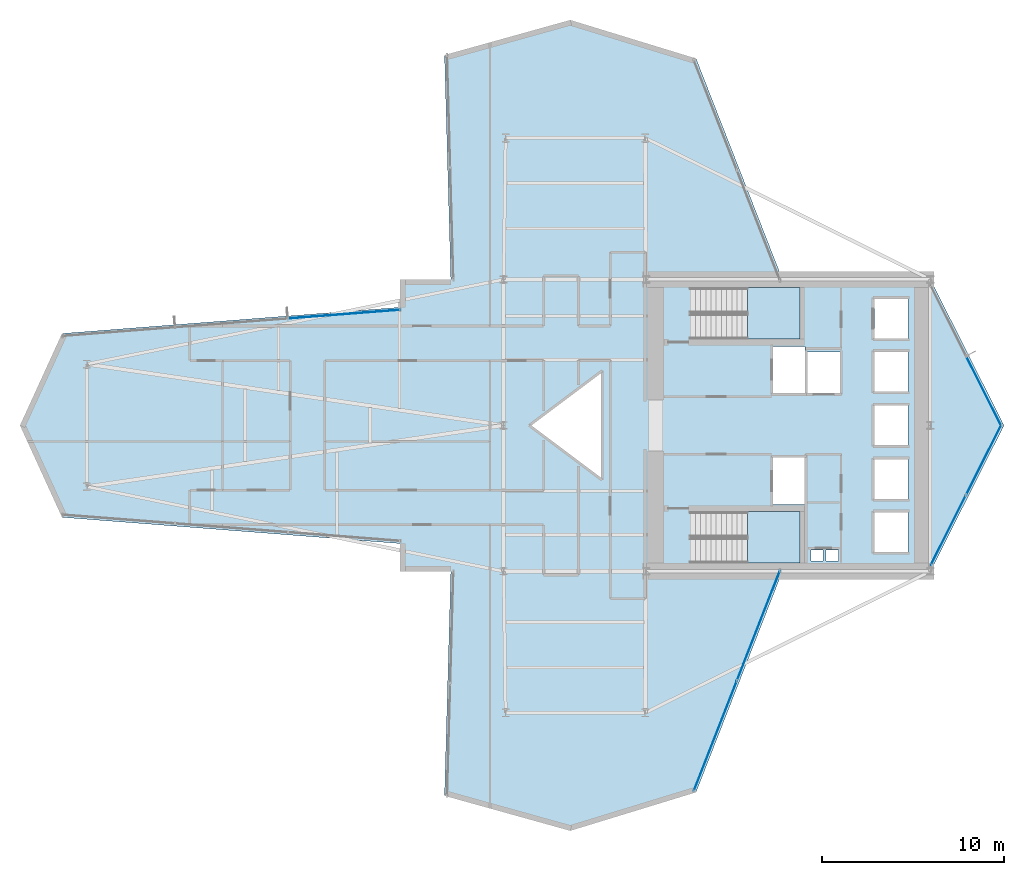
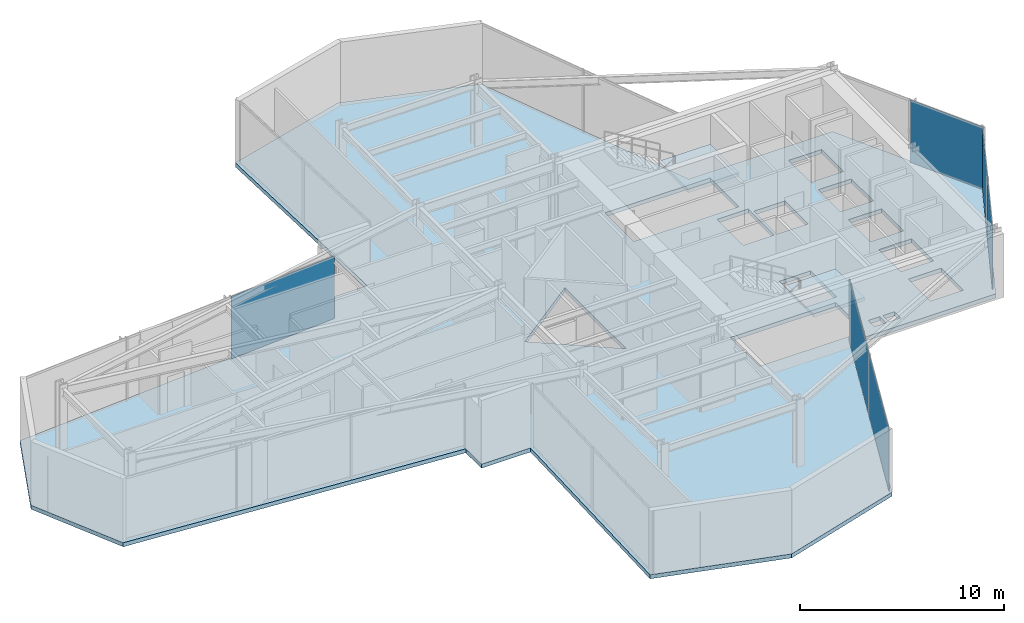
# One storey, part 25 of 30: 6 plates, 3 slabs, 6 elements without a shape of their own.
"""IFC4 building model written with IfcOpenShell, lengths in metres."""

from ifc_helpers import new_model, si_unit, direction, frame, origin, origin_2d, place, context, subcontext, project, spatial, polyline, rectangle, outline, extrude, material, layer, layer_set, type_object, element, aggregate, save


model = new_model("IFC4")

# Units and contexts
model_context = context("Model", 3, precision=1e-05, world=origin(), true_north=direction((0.0, 1.0)))
body_context = subcontext(model_context, "Body", "Model", "MODEL_VIEW")
ifc_project = project(units=[si_unit("LENGTHUNIT", "METRE"), si_unit("AREAUNIT", "SQUARE_METRE"), si_unit("VOLUMEUNIT", "CUBIC_METRE"), si_unit("PLANEANGLEUNIT", "RADIAN"), si_unit("MASSUNIT", "GRAM", prefix="KILO")], contexts=[model_context])

# Site, building, storey
site_placement = place(None, origin())
site = spatial("IfcSite", under=ifc_project, at=site_placement, CompositionType="ELEMENT")
building_placement = place(site_placement, origin())
building = spatial("IfcBuilding", under=site, at=building_placement, Name="Veymaron Broadcast Tower", CompositionType="ELEMENT")
storey_placement = place(building_placement, frame((0.0, 0.0, 49.949951171875)))
storey = spatial("IfcBuildingStorey", under=building, at=storey_placement, Name="L10", CompositionType="ELEMENT", Elevation=49.949951171875)

# Curtain wall, plates
ifc_material_1 = material(Name="Anodised aluminium AA 6063-T6 and laminated low-E dark glass", Category="aluminium")
ifc_layer_1 = layer(ifc_material_1, 0.179931640625)
ifc_layer_set_1 = layer_set([ifc_layer_1], Name="Anodised aluminium AA 6063-T6 and laminated low-E dark glass")
curtain_wall_type = type_object("IfcCurtainWallType", Name="CW-SYS-02", PredefinedType="NOTDEFINED", material=ifc_layer_set_1)
curtain_wall_1_placement = place(storey_placement, origin())
curtain_wall_1 = element("IfcCurtainWall", 1, at=curtain_wall_1_placement, inside=storey, type_object=curtain_wall_type, Name="L10 dark-glass curtain wall CW-L10-E2-1", PredefinedType="NOTDEFINED")
ifc_material_2 = material(Name="Double-silver solar-control dark glass IGU 32 mm", Category="glass")
ifc_layer_2 = layer(ifc_material_2, 0.031982421875)
ifc_layer_set_2 = layer_set([ifc_layer_2], Name="Double-silver solar-control dark glass IGU 32 mm")
plate_type = type_object("IfcPlateType", Name="CW-PNL-02", PredefinedType="CURTAIN_PANEL", material=ifc_layer_set_2)
plate_1_placement = place(storey_placement, frame((55.57958984375, 18.2548828125, 0.0400390625), z_axis=(0.0, 0.0, 1.0), x_axis=(0.450067269918, 0.892994654267, 0.0)))
plate_1 = element("IfcPlate", 2, at=plate_1_placement, type_object=plate_type, Name="CW-L10-E2-1 unitised curtain panel 0", PredefinedType="CURTAIN_PANEL", context=body_context, shape_type="SweptSolid", body=[
    extrude(rectangle(XDim=4.276123046875, YDim=0.031982421875, at=origin_2d()), origin(), (0.0, 0.0, 1.0), 3.72998046875),
])
plate_2_placement = place(storey_placement, frame((57.53125, 22.126953125, 0.0400390625), z_axis=(0.0, 0.0, 1.0), x_axis=(0.450067269918, 0.892994654267, 0.0)))
plate_2 = element("IfcPlate", 3, at=plate_2_placement, type_object=plate_type, Name="CW-L10-E2-1 unitised curtain panel 1", PredefinedType="CURTAIN_PANEL", context=body_context, shape_type="SweptSolid", body=[
    extrude(rectangle(XDim=4.276123046875, YDim=0.031982421875, at=origin_2d()), origin(), (0.0, 0.0, 1.0), 3.72998046875),
])
aggregate(curtain_wall_1, [plate_1, plate_2])

# Curtain wall, plate
curtain_wall_2_placement = place(storey_placement, origin())
curtain_wall_2 = element("IfcCurtainWall", 4, at=curtain_wall_2_placement, inside=storey, type_object=curtain_wall_type, Name="L10 dark-glass curtain wall CW-L10-E3-1", PredefinedType="NOTDEFINED")
plate_3_placement = place(storey_placement, frame((57.53125, 25.873046875, 0.0400390625), z_axis=(0.0, 0.0, 1.0), x_axis=(-0.450067269918, 0.892994654267, 0.0)))
plate_3 = element("IfcPlate", 5, at=plate_3_placement, type_object=plate_type, Name="CW-L10-E3-1 unitised curtain panel 0", PredefinedType="CURTAIN_PANEL", context=body_context, shape_type="SweptSolid", body=[
    extrude(rectangle(XDim=4.276123046875, YDim=0.031982421875, at=origin_2d()), origin(), (0.0, 0.0, 1.0), 3.72998046875),
])
aggregate(curtain_wall_2, [plate_3])

curtain_wall_3_placement = place(storey_placement, origin())
curtain_wall_3 = element("IfcCurtainWall", 6, at=curtain_wall_3_placement, inside=storey, type_object=curtain_wall_type, Name="L10 dark-glass curtain wall CW-L10-E11-1", PredefinedType="NOTDEFINED")
plate_4_placement = place(storey_placement, frame((22.45068359375, 30.09716796875, 0.0400390625), z_axis=(0.0, 0.0, 1.0), x_axis=(-0.997008399866, -0.07729327653, 0.0)))
plate_4 = element("IfcPlate", 7, at=plate_4_placement, type_object=plate_type, Name="CW-L10-E11-1 unitised curtain panel 0", PredefinedType="CURTAIN_PANEL", context=body_context, shape_type="SweptSolid", body=[
    extrude(rectangle(XDim=6.134521484375, YDim=0.031982421875, at=origin_2d()), origin(), (0.0, 0.0, 1.0), 3.72998046875),
])
aggregate(curtain_wall_3, [plate_4])

# Curtain wall, plates
curtain_wall_4_placement = place(storey_placement, origin())
curtain_wall_4 = element("IfcCurtainWall", 8, at=curtain_wall_4_placement, inside=storey, type_object=curtain_wall_type, Name="L10 dark-glass curtain wall CW-L10-E20-1", PredefinedType="NOTDEFINED")
plate_5_placement = place(storey_placement, frame((42.8056640625, 6.972900390625, 0.0400390625), z_axis=(0.0, 0.0, 1.0), x_axis=(0.36429171273, 0.931284890909, 0.0)))
plate_5 = element("IfcPlate", 9, at=plate_5_placement, type_object=plate_type, Name="CW-L10-E20-1 unitised curtain panel 0", PredefinedType="CURTAIN_PANEL", context=body_context, shape_type="SweptSolid", body=[
    extrude(rectangle(XDim=6.4384765625, YDim=0.031982421875, at=origin_2d()), origin(), (0.0, 0.0, 1.0), 3.72998046875),
])
plate_6_placement = place(storey_placement, frame((45.173095703125, 13.02490234375, 0.0400390625), z_axis=(0.0, 0.0, 1.0), x_axis=(0.36429171273, 0.931284890909, 0.0)))
plate_6 = element("IfcPlate", 10, at=plate_6_placement, type_object=plate_type, Name="CW-L10-E20-1 unitised curtain panel 1", PredefinedType="CURTAIN_PANEL", context=body_context, shape_type="SweptSolid", body=[
    extrude(rectangle(XDim=6.4384765625, YDim=0.031982421875, at=origin_2d()), origin(), (0.0, 0.0, 1.0), 3.72998046875),
])
aggregate(curtain_wall_4, [plate_5, plate_6])

# Slab
ifc_material_3 = material(Name="Concrete C40/50", Category="concrete")
ifc_layer_3 = layer(ifc_material_3, 0.239990234375)
ifc_layer_set_3 = layer_set([ifc_layer_3], Name="Concrete C40/50")
slab_type_1 = type_object("IfcSlabType", Name="SLAB-FS6", PredefinedType="FLOOR", material=ifc_layer_set_3)
slab_1_placement = place(storey_placement, frame((0.0, 0.0, -0.239990234375)))
element("IfcSlab", 11, at=slab_1_placement, inside=storey, type_object=slab_type_1, Name="L10 structural floor slab", PredefinedType="FLOOR", context=body_context, shape_type="SweptSolid", body=[
    extrude(outline(polyline([(46.487060546875, 16.0), (54.60009765625, 16.0), (58.632080078125, 24.0), (54.60009765625, 32.0), (46.487060546875, 32.0), (41.75244140625, 44.10400390625), (34.85595703125, 46.216064453125), (27.959716796875, 44.2958984375), (28.305419921875, 32.0), (25.528076171875, 32.0), (25.528076171875, 30.47607421875), (7.0, 29.039794921875), (4.696044921875, 24.0), (7.0, 18.960205078125), (25.528076171875, 17.52392578125), (25.528076171875, 16.0), (28.305419921875, 16.0), (27.959716796875, 3.7041015625), (34.85595703125, 1.783935546875), (41.75244140625, 3.89599609375), (46.487060546875, 16.0)]), holes=[polyline([(45.969970703125, 28.330078125), (47.72998046875, 28.330078125), (47.72998046875, 25.77001953125), (45.969970703125, 25.77001953125), (45.969970703125, 28.330078125)]), polyline([(45.969970703125, 22.22998046875), (47.72998046875, 22.22998046875), (47.72998046875, 19.669921875), (45.969970703125, 19.669921875), (45.969970703125, 22.22998046875)]), polyline([(47.8701171875, 28.030029296875), (49.6298828125, 28.030029296875), (49.6298828125, 25.77001953125), (47.8701171875, 25.77001953125), (47.8701171875, 28.030029296875)]), polyline([(51.52001953125, 30.929931640625), (53.3798828125, 30.929931640625), (53.3798828125, 28.77001953125), (51.52001953125, 28.77001953125), (51.52001953125, 30.929931640625)]), polyline([(51.52001953125, 28.030029296875), (53.3798828125, 28.030029296875), (53.3798828125, 25.8701171875), (51.52001953125, 25.8701171875), (51.52001953125, 28.030029296875)]), polyline([(51.52001953125, 22.1298828125), (53.3798828125, 22.1298828125), (53.3798828125, 19.969970703125), (51.52001953125, 19.969970703125), (51.52001953125, 22.1298828125)]), polyline([(51.52001953125, 25.080078125), (53.3798828125, 25.080078125), (53.3798828125, 22.919921875), (51.52001953125, 22.919921875), (51.52001953125, 25.080078125)]), polyline([(51.52001953125, 19.22998046875), (53.3798828125, 19.22998046875), (53.3798828125, 17.070068359375), (51.52001953125, 17.070068359375), (51.52001953125, 19.22998046875)]), polyline([(48.050048828125, 17.159912109375), (48.719970703125, 17.159912109375), (48.719970703125, 16.56005859375), (48.050048828125, 16.56005859375), (48.050048828125, 17.159912109375)]), polyline([(48.8798828125, 17.159912109375), (49.550048828125, 17.159912109375), (49.550048828125, 16.56005859375), (48.8798828125, 16.56005859375), (48.8798828125, 17.159912109375)]), polyline([(36.60009765625, 27.0), (36.60009765625, 21.0), (32.60009765625, 24.0), (36.60009765625, 27.0)]), polyline([(41.489990234375, 31.550048828125), (47.43994140625, 31.550048828125), (47.43994140625, 28.72998046875), (41.489990234375, 28.72998046875), (41.489990234375, 31.550048828125)]), polyline([(41.489990234375, 19.27001953125), (47.43994140625, 19.27001953125), (47.43994140625, 16.449951171875), (41.489990234375, 16.449951171875), (41.489990234375, 19.27001953125)])]), origin(), (0.0, 0.0, 1.0), 0.239990234375),
])

# Stair, slab
ifc_material_4 = material(Name="Concrete C50/60", Category="concrete")
stair_type_1 = type_object("IfcStairType", Name="STAIR-CORE-1", PredefinedType="HALF_TURN_STAIR", material=ifc_material_4)
stair_1_placement = place(storey_placement, origin())
stair_1 = element("IfcStair", 12, at=stair_1_placement, inside=storey, type_object=stair_type_1, Name="L10 North protected dog-leg exit stair ST1", PredefinedType="HALF_TURN_STAIR")
ifc_layer_4 = layer(ifc_material_4, 0.199951171875)
ifc_layer_set_4 = layer_set([ifc_layer_4], Name="Concrete C50/60")
slab_type_2 = type_object("IfcSlabType", Name="SLAB-STAIR-LDG", PredefinedType="LANDING", material=ifc_layer_set_4)
slab_2_placement = place(storey_placement, frame((0.0, 0.0, 1.824951171875)))
slab_2 = element("IfcSlab", 13, at=slab_2_placement, type_object=slab_type_2, Name="ST1 landing 1", PredefinedType="LANDING", context=body_context, shape_type="SweptSolid", body=[
    extrude(outline(polyline([(44.56494140625, 28.72998046875), (47.43994140625, 28.72998046875), (47.43994140625, 31.550048828125), (44.56494140625, 31.550048828125), (44.56494140625, 28.72998046875)])), origin(), (0.0, 0.0, 1.0), 0.2001953125),
])
aggregate(stair_1, [slab_2])

stair_type_2 = type_object("IfcStairType", Name="STAIR-CORE-2", PredefinedType="HALF_TURN_STAIR", material=ifc_material_4)
stair_2_placement = place(storey_placement, origin())
stair_2 = element("IfcStair", 14, at=stair_2_placement, inside=storey, type_object=stair_type_2, Name="L10 South protected dog-leg exit stair ST2", PredefinedType="HALF_TURN_STAIR")
slab_3_placement = place(storey_placement, frame((0.0, 0.0, 1.824951171875)))
slab_3 = element("IfcSlab", 15, at=slab_3_placement, type_object=slab_type_2, Name="ST2 landing 1", PredefinedType="LANDING", context=body_context, shape_type="SweptSolid", body=[
    extrude(outline(polyline([(44.56494140625, 16.449951171875), (47.43994140625, 16.449951171875), (47.43994140625, 19.27001953125), (44.56494140625, 19.27001953125), (44.56494140625, 16.449951171875)])), origin(), (0.0, 0.0, 1.0), 0.2001953125),
])
aggregate(stair_2, [slab_3])

save(model, "model.ifc")
